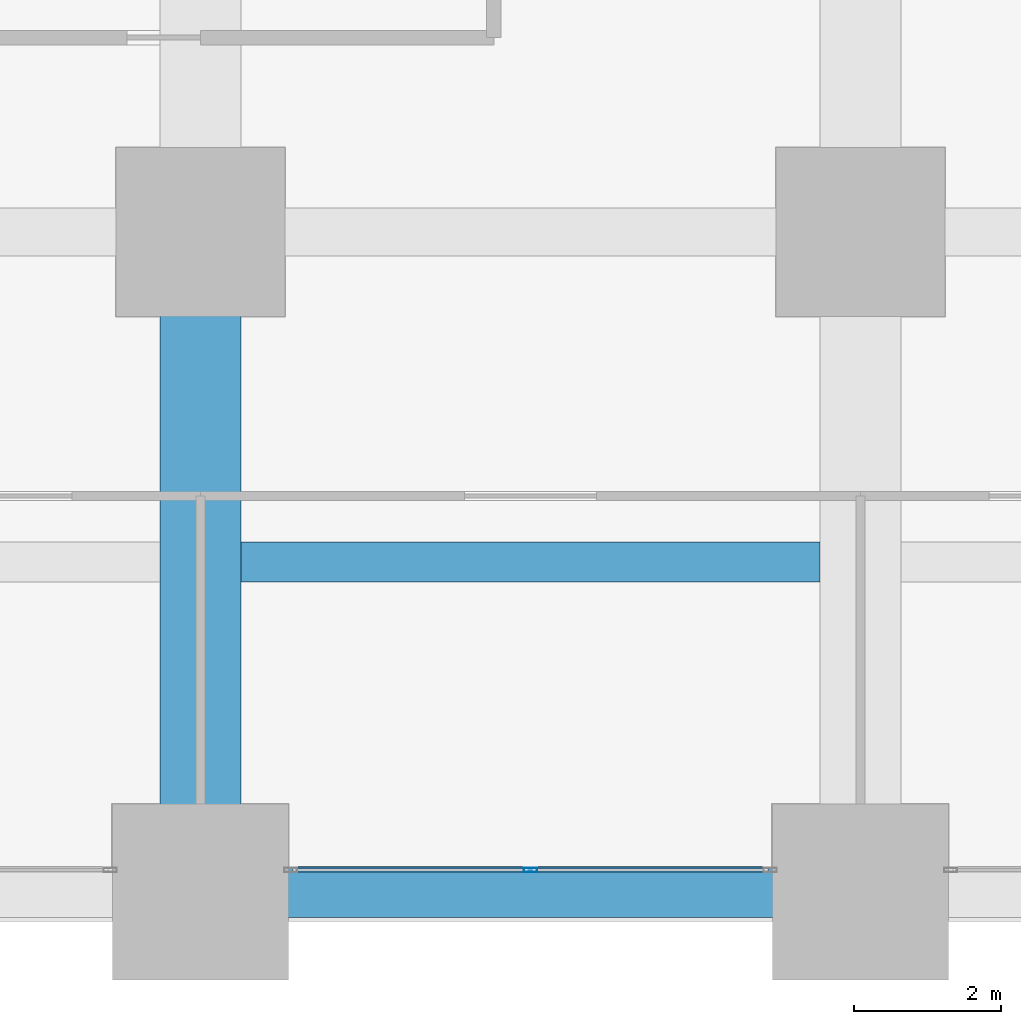
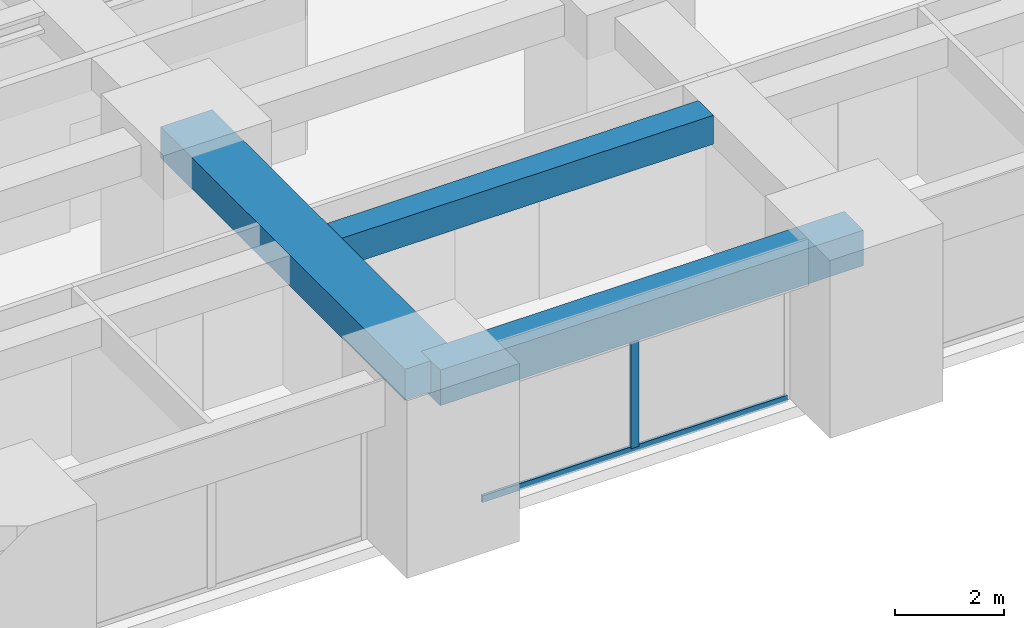
# One storey, part 7 of 45: 3 beams, 2 members, 1 element without a shape of its own.
"""IFC4 building model written with IfcOpenShell, lengths in metres."""

from ifc_helpers import new_model, si_unit, direction, frame, origin, origin_2d, place, context, subcontext, project, spatial, rectangle, hollow_rectangle, extrude, material, material_profile, profile_set, type_object, element, aggregate, save


model = new_model("IFC4")

# Units and contexts
model_context = context("Model", 3, precision=1e-05, world=origin(), true_north=direction((0.0, 1.0)))
body_context = subcontext(model_context, "Body", "Model", "MODEL_VIEW")
ifc_project = project(units=[si_unit("LENGTHUNIT", "METRE"), si_unit("AREAUNIT", "SQUARE_METRE"), si_unit("VOLUMEUNIT", "CUBIC_METRE"), si_unit("PLANEANGLEUNIT", "RADIAN"), si_unit("MASSUNIT", "GRAM", prefix="KILO")], contexts=[model_context])

# Site, building, storey
site_placement = place(None, origin())
site = spatial("IfcSite", under=ifc_project, at=site_placement, CompositionType="ELEMENT")
building_placement = place(site_placement, origin())
building = spatial("IfcBuilding", under=site, at=building_placement, Name="Zorevar Civic Tower", CompositionType="ELEMENT")
storey_placement = place(building_placement, frame((0.0, 0.0, 23.800048828125)))
storey = spatial("IfcBuildingStorey", under=building, at=storey_placement, Name="L05", CompositionType="ELEMENT", Elevation=23.800048828125)

# Beams
ifc_material_1 = material(Name="Concrete C50/60", Category="concrete")
ifc_material_profile_1 = material_profile(ifc_material_1, rectangle(XDim=1.10009765625, YDim=0.699951171875, at=origin_2d()), Name="RC 1100x700")
ifc_profile_set_1 = profile_set([ifc_material_profile_1], Name="Concrete C50/60")
beam_type_1 = type_object("IfcBeamType", Name="Beam RC 1100x700", PredefinedType="BEAM", material=ifc_profile_set_1)
beam_1_placement = place(storey_placement, frame((27.0, 0.0, 3.39990234375), z_axis=(0.0, 1.0, 0.0), x_axis=(-1.0, 0.0, 0.0)))
element("IfcBeam", 1, at=beam_1_placement, inside=storey, type_object=beam_type_1, Name="Girder L06", PredefinedType="BEAM", context=body_context, shape_type="SweptSolid", body=[
    extrude(rectangle(XDim=1.10009765625, YDim=0.699951171875, at=origin_2d()), origin(), (0.0, 0.0, 1.0), 9.0),
])
ifc_material_2 = material(Name="Concrete C50/60", Category="concrete")
ifc_material_profile_2 = material_profile(ifc_material_2, rectangle(XDim=0.550048828125, YDim=0.64990234375, at=origin_2d()), Name="RC 550x650")
ifc_profile_set_2 = profile_set([ifc_material_profile_2], Name="Concrete C50/60")
beam_type_2 = type_object("IfcBeamType", Name="Beam RC 550x650", PredefinedType="BEAM", material=ifc_profile_set_2)
beam_2_placement = place(storey_placement, frame((27.550048828125, 4.5, 3.425048828125), z_axis=(1.0, 0.0, 0.0), x_axis=(0.0, 1.0, 0.0)))
element("IfcBeam", 2, at=beam_2_placement, inside=storey, type_object=beam_type_2, Name="Secondary beam L06", PredefinedType="BEAM", context=body_context, shape_type="SweptSolid", body=[
    extrude(rectangle(XDim=0.550048828125, YDim=0.64990234375, at=origin_2d()), origin(), (0.0, 0.0, 1.0), 7.89990234375),
])

# Curtain wall, members
ifc_material_3 = material(Name="Dark grey solar-control glass in black aluminium frame", Category="aluminium")
curtain_wall_type = type_object("IfcCurtainWallType", Name="Curtain wall CW2 low zone", PredefinedType="NOTDEFINED", material=ifc_material_3)
curtain_wall_placement = place(storey_placement, origin())
curtain_wall = element("IfcCurtainWall", 3, at=curtain_wall_placement, inside=storey, type_object=curtain_wall_type, Name="CW2 L05", PredefinedType="NOTDEFINED")
ifc_material_4 = material(Name="Aluminium, black anodised", Category="aluminium")
ifc_material_profile_3 = material_profile(ifc_material_4, hollow_rectangle(XDim=0.06005859375, YDim=0.179931640625, WallThickness=0.00390625, at=origin_2d()), Name="AL 180x60x4")
ifc_profile_set_3 = profile_set([ifc_material_profile_3], Name="Aluminium, black anodised")
member_type_1 = type_object("IfcMemberType", Name="CW2 mullion AL 180x60x4", PredefinedType="MULLION", material=ifc_profile_set_3)
member_1_placement = place(storey_placement, frame((31.5, 0.300048828125, 0.06005859375), z_axis=(0.0, 0.0, 1.0), x_axis=(0.0, 1.0, 0.0)))
member_1 = element("IfcMember", 4, at=member_1_placement, type_object=member_type_1, Name="CW2 mullion 2", PredefinedType="MULLION", context=body_context, shape_type="SweptSolid", body=[
    extrude(hollow_rectangle(XDim=0.06005859375, YDim=0.179931640625, WallThickness=0.00390625, at=origin_2d()), origin(), (0.0, 0.0, 1.0), 2.889892578125),
])
ifc_material_5 = material(Name="Aluminium, black anodised", Category="aluminium")
ifc_material_profile_4 = material_profile(ifc_material_5, hollow_rectangle(XDim=0.06005859375, YDim=0.14990234375, WallThickness=0.00390625, at=origin_2d()), Name="AL 150x60x4")
ifc_profile_set_4 = profile_set([ifc_material_profile_4], Name="Aluminium, black anodised")
member_type_2 = type_object("IfcMemberType", Name="CW2 transom AL 150x60x4", PredefinedType="USERDEFINED", material=ifc_profile_set_4)
member_2_placement = place(storey_placement, frame((28.260009765625, 0.300048828125, 0.030029296875), z_axis=(1.0, 0.0, 0.0), x_axis=(0.0, 1.0, 0.0)))
member_2 = element("IfcMember", 5, at=member_2_placement, type_object=member_type_2, Name="CW2 sill transom", ObjectType="TRANSOM", PredefinedType="USERDEFINED", context=body_context, shape_type="SweptSolid", body=[
    extrude(hollow_rectangle(XDim=0.06005859375, YDim=0.14990234375, WallThickness=0.00390625, at=origin_2d()), origin(), (0.0, 0.0, 1.0), 6.47998046875),
])
aggregate(curtain_wall, [member_1, member_2])

# Beam
ifc_material_6 = material(Name="Concrete C50/60", Category="concrete")
ifc_material_profile_5 = material_profile(ifc_material_6, rectangle(XDim=0.699951171875, YDim=0.800048828125, at=origin_2d()), Name="RC 700x800")
ifc_profile_set_5 = profile_set([ifc_material_profile_5], Name="Concrete C50/60")
beam_type_3 = type_object("IfcBeamType", Name="Edge beam RC 700x800", PredefinedType="SPANDREL", material=ifc_profile_set_5)
beam_3_placement = place(storey_placement, frame((27.0, 0.0, 3.349853515625), z_axis=(1.0, 0.0, 0.0), x_axis=(0.0, 1.0, 0.0)))
element("IfcBeam", 6, at=beam_3_placement, inside=storey, type_object=beam_type_3, Name="Edge beam L06", PredefinedType="SPANDREL", context=body_context, shape_type="SweptSolid", body=[
    extrude(rectangle(XDim=0.699951171875, YDim=0.800048828125, at=origin_2d()), origin(), (0.0, 0.0, 1.0), 9.0),
])

save(model, "model.ifc")
